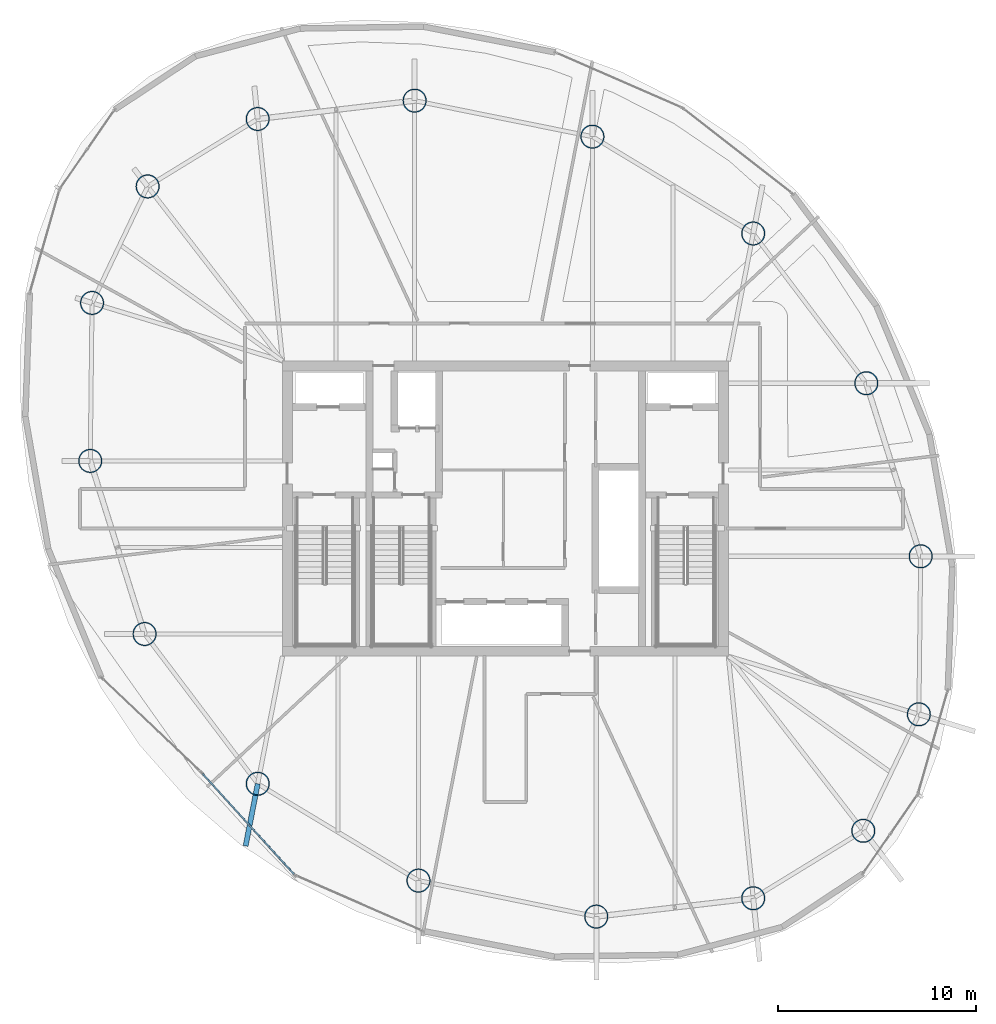
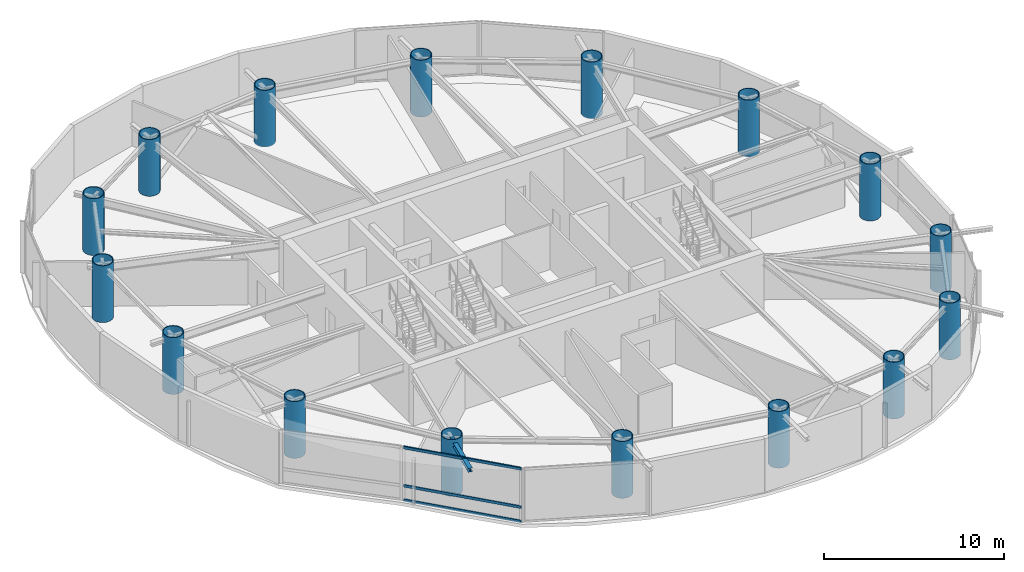
# One storey, part 1 of 22: 16 columns, 3 members, 1 beam, 1 element without a shape of its own.
"""IFC4 building model written with IfcOpenShell, lengths in metres."""

from ifc_helpers import new_model, si_unit, direction, frame, origin, origin_2d, place, context, subcontext, project, spatial, hollow_rectangle, hollow_circle, i_section, extrude, material, layer, layer_set, material_profile, profile_set, type_object, element, aggregate, save


model = new_model("IFC4")

# Units and contexts
model_context = context("Model", 3, precision=1e-05, world=origin(), true_north=direction((0.0, 1.0)))
body_context = subcontext(model_context, "Body", "Model", "MODEL_VIEW")
ifc_project = project(units=[si_unit("LENGTHUNIT", "METRE"), si_unit("AREAUNIT", "SQUARE_METRE"), si_unit("VOLUMEUNIT", "CUBIC_METRE"), si_unit("PLANEANGLEUNIT", "RADIAN"), si_unit("MASSUNIT", "GRAM", prefix="KILO")], contexts=[model_context])

# Site, building, storey
site_placement = place(None, origin())
site = spatial("IfcSite", under=ifc_project, at=site_placement, CompositionType="ELEMENT")
building_placement = place(site_placement, origin())
building = spatial("IfcBuilding", under=site, at=building_placement, Name="Bramvorn Convention Spire", CompositionType="ELEMENT")
storey_placement = place(building_placement, frame((0.0, 0.0, 213.550048828125)))
storey = spatial("IfcBuildingStorey", under=building, at=storey_placement, Name="L54", CompositionType="ELEMENT", Elevation=213.550048828125)

# Columns
ifc_material_1 = material(Name="Steel CSA G40.21 Grade 350 (350W)", Category="steel")
ifc_material_profile_1 = material_profile(ifc_material_1, hollow_circle(Radius=0.60009765625, WallThickness=0.050048828125, at=origin_2d()))
ifc_profile_set_1 = profile_set([ifc_material_profile_1], Name="Steel CSA G40.21 Grade 350 (350W) - CFT1200X50")
column_type = type_object("IfcColumnType", Name="COL-CFT1200X50", PredefinedType="COLUMN", material=ifc_profile_set_1)
for number, where, z_axis, x_axis, name in (
    (1, (56.058349609375, 9.739990234375, 0.0), (0.0, 0.0, 1.0), (1.0, 0.0, 0.0), "L54 composite CFT mega-column MC01"),
    (2, (58.863037109375, 15.619384765625, 0.0), (0.0, 0.0, 1.0), (1.0, 0.0, 0.0), "L54 composite CFT mega-column MC02"),
    (3, (58.95458984375, 23.593505859375, 0.0), (0.0, 0.0, 1.0), (1.0, 0.0, 0.0), "L54 composite CFT mega-column MC03"),
    (4, (56.21044921875, 32.327392578125, 0.0), (0.0, 0.0, 1.0), (1.0, 0.0, 0.0), "L54 composite CFT mega-column MC04"),
    (5, (50.501953125, 39.885009765625, 0.0), (0.0, 0.0, 1.0), (1.0, 0.0, 0.0), "L54 composite CFT mega-column MC05"),
    (6, (42.38916015625, 44.772216796875, 0.0), (0.0, 0.0, 1.0), (1.0, 0.0, 0.0), "L54 composite CFT mega-column MC06"),
    (7, (33.416259765625, 46.58837890625, 0.0), (0.0, 0.0, 1.0), (1.0, 0.0, 0.0), "L54 composite CFT mega-column MC07"),
    (8, (25.49560546875, 45.663818359375, 0.0), (0.0, 0.0, 1.0), (1.0, 0.0, 0.0), "L54 composite CFT mega-column MC08"),
    (9, (19.941650390625, 42.260009765625, 0.0), (0.0, 0.0, 1.0), (1.0, 0.0, 0.0), "L54 composite CFT mega-column MC09"),
    (10, (17.136962890625, 36.380615234375, 0.0), (0.0, 0.0, 1.0), (1.0, 0.0, 0.0), "L54 composite CFT mega-column MC10"),
    (11, (17.04541015625, 28.406494140625, 0.0), (0.0, 0.0, 1.0), (1.0, 0.0, 0.0), "L54 composite CFT mega-column MC11"),
    (12, (19.78955078125, 19.672607421875, 0.0), (0.0, 0.0, 1.0), (1.0, 0.0, 0.0), "L54 composite CFT mega-column MC12"),
    (13, (25.498046875, 12.114990234375, 0.0), (0.0, 0.0, 1.0), (1.0, 0.0, 0.0), "L54 composite CFT mega-column MC13"),
    (14, (33.61083984375, 7.227783203125, 0.0), (0.0, 0.0, 1.0), (1.0, 0.0, 0.0), "L54 composite CFT mega-column MC14"),
    (15, (42.583740234375, 5.41162109375, 0.0), (0.0, 0.0, 1.0), (1.0, 0.0, 0.0), "L54 composite CFT mega-column MC15"),
    (16, (50.50439453125, 6.336181640625, 0.0), (0.0, 0.0, 1.0), (1.0, 0.0, 0.0), "L54 composite CFT mega-column MC16"),
):
    element("IfcColumn", number, at=place(storey_placement, frame(where, z_axis=z_axis, x_axis=x_axis)), inside=storey, type_object=column_type, Name=name, PredefinedType="COLUMN", context=body_context, shape_type="SweptSolid", body=[
        extrude(hollow_circle(Radius=0.60009765625, WallThickness=0.050048828125, at=origin_2d()), origin(), (0.0, 0.0, 1.0), 3.849853515625),
    ])

# Beam
ifc_material_profile_2 = material_profile(ifc_material_1, i_section(OverallWidth=0.25390625, OverallDepth=0.2529296875, WebThickness=0.008544921875, FlangeThickness=0.01416015625, FilletRadius=0.011962890625, at=origin_2d()))
ifc_profile_set_2 = profile_set([ifc_material_profile_2], Name="Steel CSA G40.21 Grade 350 (350W) - W250X73")
beam_type = type_object("IfcBeamType", Name="BM-W250X73", PredefinedType="BEAM", material=ifc_profile_set_2)
beam_placement = place(storey_placement, frame((25.498046875, 12.114990234375, 3.493408203125), z_axis=(-0.190977895588, -0.981594337492, 0.0), x_axis=(0.981594337492, -0.190977895588, 0.0)))
element("IfcBeam", 17, at=beam_placement, inside=storey, type_object=beam_type, Name="L54 slab-edge cantilever tip beam MC13", PredefinedType="BEAM", context=body_context, shape_type="SweptSolid", body=[
    extrude(i_section(OverallWidth=0.25390625, OverallDepth=0.2529296875, WebThickness=0.008544921875, FlangeThickness=0.01416015625, FilletRadius=0.011962890625, at=origin_2d()), origin(), (0.0, 0.0, 1.0), 3.19970703125),
])

# Curtain wall, members
ifc_material_2 = material(Name="Anodised Bronze Unitised Curtain Wall", Category="aluminium")
ifc_layer = layer(ifc_material_2, 0.219970703125)
ifc_layer_set = layer_set([ifc_layer], Name="Anodised Bronze Unitised Curtain Wall - CW-SKYGARDEN")
curtain_wall_type = type_object("IfcCurtainWallType", Name="CW-SKYGARDEN", PredefinedType="USERDEFINED", material=ifc_layer_set)
curtain_wall_placement = place(storey_placement, origin())
curtain_wall = element("IfcCurtainWall", 18, at=curtain_wall_placement, inside=storey, type_object=curtain_wall_type, Name="L54 Sky Garden glazed facade 19", ObjectType="WINTER GARDEN GLAZING", PredefinedType="USERDEFINED")
ifc_material_3 = material(Name="Anodised Bronze Aluminium 6063-T6", Category="aluminium")
ifc_material_profile_3 = material_profile(ifc_material_3, hollow_rectangle(XDim=0.090087890625, YDim=0.179931640625, WallThickness=0.00439453125, InnerFilletRadius=0.0009765625, OuterFilletRadius=0.00439453125, at=origin_2d()))
ifc_profile_set_3 = profile_set([ifc_material_profile_3], Name="Anodised Bronze Aluminium 6063-T6 - CWT90X180")
member_type = type_object("IfcMemberType", Name="CW-TRN-180", PredefinedType="USERDEFINED", material=ifc_profile_set_3)
member_1_placement = place(storey_placement, frame((27.33544921875, 7.54638671875, 0.030029296875), z_axis=(-0.673235277957, 0.739428333589, 0.0), x_axis=(-0.739428333589, -0.673235277957, 0.0)))
member_1 = element("IfcMember", 19, at=member_1_placement, type_object=member_type, Name="CW4 transom 1.1", ObjectType="TRANSOM", PredefinedType="USERDEFINED", context=body_context, shape_type="SweptSolid", body=[
    extrude(hollow_rectangle(XDim=0.090087890625, YDim=0.179931640625, WallThickness=0.00439453125, InnerFilletRadius=0.0009765625, OuterFilletRadius=0.00439453125, at=origin_2d()), origin(), (0.0, 0.0, 1.0), 6.86767578125),
])
member_2_placement = place(storey_placement, frame((27.33544921875, 7.54638671875, 1.0), z_axis=(-0.673235277957, 0.739428333589, 0.0), x_axis=(-0.739428333589, -0.673235277957, 0.0)))
member_2 = element("IfcMember", 20, at=member_2_placement, type_object=member_type, Name="CW4 transom 1.2", ObjectType="TRANSOM", PredefinedType="USERDEFINED", context=body_context, shape_type="SweptSolid", body=[
    extrude(hollow_rectangle(XDim=0.090087890625, YDim=0.179931640625, WallThickness=0.00439453125, InnerFilletRadius=0.0009765625, OuterFilletRadius=0.00439453125, at=origin_2d()), origin(), (0.0, 0.0, 1.0), 6.86767578125),
])
member_3_placement = place(storey_placement, frame((27.33544921875, 7.54638671875, 3.58984375), z_axis=(-0.673235277957, 0.739428333589, 0.0), x_axis=(-0.739428333589, -0.673235277957, 0.0)))
member_3 = element("IfcMember", 21, at=member_3_placement, type_object=member_type, Name="CW4 transom 1.3", ObjectType="TRANSOM", PredefinedType="USERDEFINED", context=body_context, shape_type="SweptSolid", body=[
    extrude(hollow_rectangle(XDim=0.090087890625, YDim=0.179931640625, WallThickness=0.00439453125, InnerFilletRadius=0.0009765625, OuterFilletRadius=0.00439453125, at=origin_2d()), origin(), (0.0, 0.0, 1.0), 6.86767578125),
])
aggregate(curtain_wall, [member_1, member_2, member_3])

save(model, "model.ifc")
